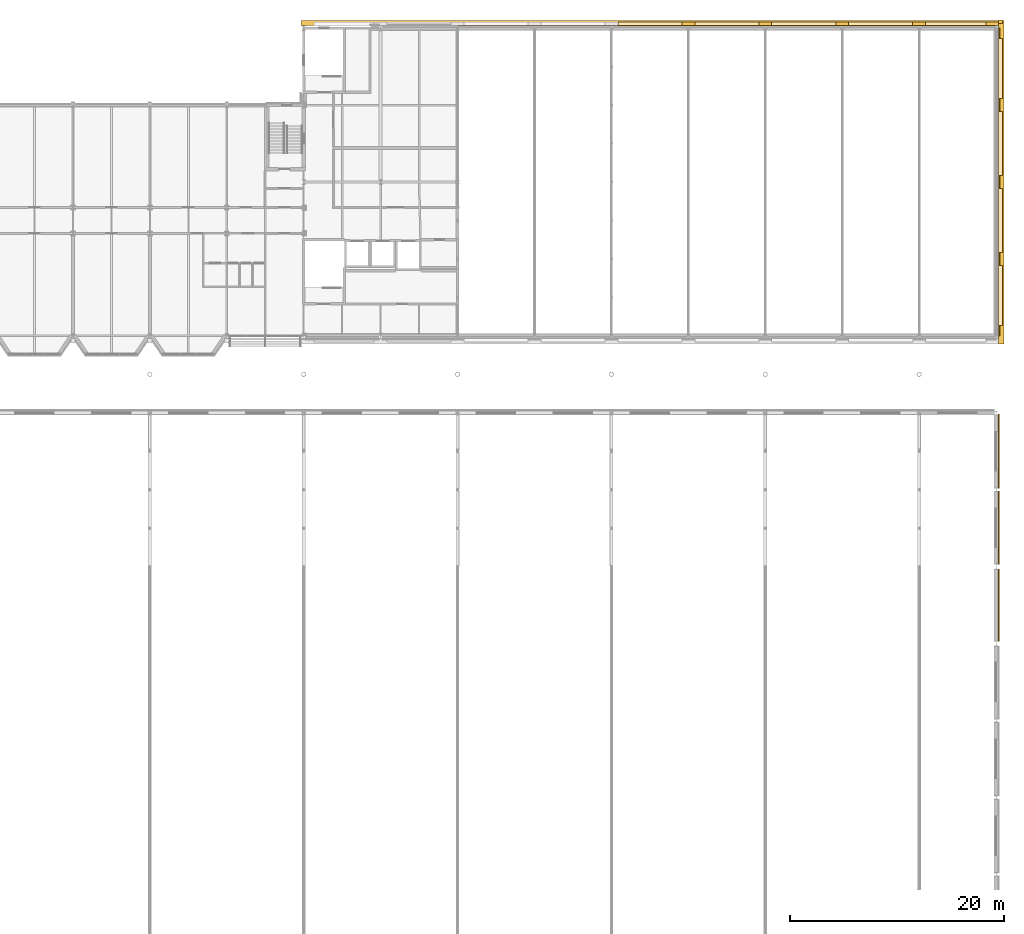
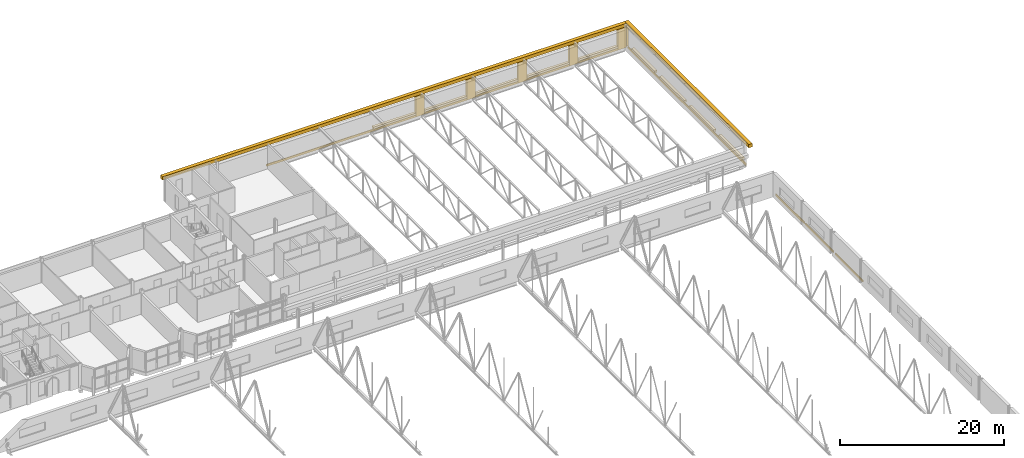
# One storey, part 139 of 142: 22 coverings.
"""IFC4 building model written with IfcOpenShell, lengths in metres."""

import ifcopenshell
import ifcopenshell.guid

model = None  # the IFC model being written
_history = None  # IfcOwnerHistory: only IFC2X3 demands one
_inside = {}  # id of a spatial element -> (the spatial element, [elements in it])
_under = {}  # id of a project, library or spatial element -> (it, [spatial elements below it])
_declared = {}  # id of a project -> (the project, [libraries it declares])
_typed = {}  # id of a type object -> (the type object, [elements of that type])
_made_of = {}  # id of a material, layer set ... -> (it, [elements and type objects made of it])


def new_model(schema):
    """Start an empty IFC model of exactly this schema.

    Asked for "IFC4X3", IfcOpenShell would pick the latest addendum, in which some entities
    have other attributes; the version numbers below select the first issue.
    IFC2X3 requires an IfcOwnerHistory on every rooted entity: one is made here for all.
    """
    global model, _history
    if schema == "IFC4X3":
        model = ifcopenshell.file(schema_version=(4, 3, 0, 0))
    else:
        model = ifcopenshell.file(schema=schema)
    _inside.clear()
    _under.clear()
    _declared.clear()
    _typed.clear()
    _made_of.clear()
    _history = None
    if model.schema == "IFC2X3":
        org = make("IfcOrganization", Name="unknown")
        user = make(
            "IfcPersonAndOrganization",
            ThePerson=make("IfcPerson", FamilyName="unknown"),
            TheOrganization=org,
        )
        app = make(
            "IfcApplication",
            ApplicationDeveloper=org,
            Version="unknown",
            ApplicationFullName="unknown",
            ApplicationIdentifier="unknown",
        )
        _history = make(
            "IfcOwnerHistory",
            OwningUser=user,
            OwningApplication=app,
            ChangeAction="ADDED",
            CreationDate=0,
        )
    return model


def make(cls, **values):
    """One entity of the class cls with the attributes given. An attribute that is None is left unset."""
    return model.create_entity(
        cls, **{name: value for name, value in values.items() if value is not None}
    )


def rooted(cls, **values):
    """An entity with a GlobalId (a new one), such as an element, a storey or a relation."""
    return make(cls, GlobalId=ifcopenshell.guid.new(), OwnerHistory=_history, **values)


def si_unit(unit_type, name, prefix=None):
    """IfcSIUnit, for example si_unit("LENGTHUNIT", "METRE", prefix="MILLI")."""
    return make("IfcSIUnit", UnitType=unit_type, Prefix=prefix, Name=name)


def assignment(units):
    """IfcUnitAssignment: the units of a project."""
    return None if units is None else make("IfcUnitAssignment", Units=units)


def point(xyz):
    """IfcCartesianPoint."""
    return None if xyz is None else make("IfcCartesianPoint", Coordinates=xyz)


def direction(xyz):
    """IfcDirection."""
    return None if xyz is None else make("IfcDirection", DirectionRatios=xyz)


def frame(location, z_axis=None, x_axis=None):
    """IfcAxis2Placement3D, a coordinate frame: its origin and axes. An axis left out is left unset."""
    return make(
        "IfcAxis2Placement3D",
        Location=point(location),
        Axis=direction(z_axis),
        RefDirection=direction(x_axis),
    )


def frame_2d(location, x_axis=None):
    """IfcAxis2Placement2D, a coordinate frame in the plane: its origin and x axis."""
    return make(
        "IfcAxis2Placement2D", Location=point(location), RefDirection=direction(x_axis)
    )


def origin():
    """The frame at (0, 0, 0) with its axes left unset."""
    return frame((0.0, 0.0, 0.0))


def origin_2d():
    """The frame at (0, 0) in the plane with its x axis left unset."""
    return frame_2d((0.0, 0.0))


def place(relative_to, where):
    """IfcLocalPlacement: puts the frame where relative to a parent placement (None: the world)."""
    return make(
        "IfcLocalPlacement", PlacementRelTo=relative_to, RelativePlacement=where
    )


def context(
    kind, dimensions, precision=None, world=None, true_north=None, identifier=None
):
    """IfcGeometricRepresentationContext, for example the 3D "Model" context."""
    return make(
        "IfcGeometricRepresentationContext",
        ContextIdentifier=identifier,
        ContextType=kind,
        CoordinateSpaceDimension=dimensions,
        Precision=precision,
        WorldCoordinateSystem=world,
        TrueNorth=true_north,
    )


def subcontext(parent, identifier, kind, view, scale=None):
    """IfcGeometricRepresentationSubContext, for example "Body" below "Model"."""
    return make(
        "IfcGeometricRepresentationSubContext",
        ContextIdentifier=identifier,
        ContextType=kind,
        ParentContext=parent,
        TargetScale=scale,
        TargetView=view,
    )


def project(units=None, contexts=None):
    """IfcProject with its units and contexts."""
    return rooted(
        "IfcProject",
        Name="project",
        RepresentationContexts=contexts,
        UnitsInContext=assignment(units),
    )


def spatial(cls, under=None, at=None, **own):
    """A site, building, storey or space (cls), placed at a placement, below another one or the project."""
    s = rooted(cls, ObjectPlacement=at, **own)
    if under is not None:
        _under.setdefault(under.id(), (under, []))[1].append(s)
    return s


def profile(cls, at=None, kind="AREA", **sizes):
    """A parametric profile (cls). Its sizes go by their IFC names, for example OverallWidth=200.0."""
    return make(cls, ProfileType=kind, Position=at, **sizes)


def rectangle(**sizes):
    """IfcRectangleProfileDef."""
    return profile("IfcRectangleProfileDef", **sizes)


def extrude(swept, where, along, depth):
    """IfcExtrudedAreaSolid: the profile swept, set in the frame where, extruded along a direction by depth."""
    return make(
        "IfcExtrudedAreaSolid",
        SweptArea=swept,
        Position=where,
        ExtrudedDirection=direction(along),
        Depth=depth,
    )


def shape(context_of_items, identifier, shape_type, items):
    """IfcShapeRepresentation: the items that make up one representation, for example the "Body"."""
    return make(
        "IfcShapeRepresentation",
        ContextOfItems=context_of_items,
        RepresentationIdentifier=identifier,
        RepresentationType=shape_type,
        Items=items,
    )


def material(Name=None, Category=None):
    """IfcMaterial."""
    return make("IfcMaterial", Name=Name, Category=Category)


def layer(
    of_material, thickness, ventilated=None, Name=None, Category=None, Priority=None
):
    """IfcMaterialLayer: one layer of a wall or slab, of a material (None: an air gap)."""
    return make(
        "IfcMaterialLayer",
        Material=of_material,
        LayerThickness=thickness,
        IsVentilated=ventilated,
        Name=Name,
        Category=Category,
        Priority=Priority,
    )


def layer_set(layers, Name=None):
    """IfcMaterialLayerSet."""
    return make("IfcMaterialLayerSet", MaterialLayers=layers, LayerSetName=Name)


def made_of(thing, what):
    """Note that an element or type object is made of a material, layer set ...; save() writes the relation."""
    if what is not None:
        _made_of.setdefault(what.id(), (what, []))[1].append(thing)
    return thing


def type_object(cls, material=None, **own):
    """A type object (cls), such as IfcWallType, which elements share."""
    return made_of(rooted(cls, **own), material)


def element(
    cls,
    number,
    at=None,
    inside=None,
    cuts=None,
    type_object=None,
    material=None,
    context=None,
    identifier="Body",
    shape_type=None,
    held_by="IfcProductDefinitionShape",
    body=None,
    shapes=None,
    **own,
):
    """One element of the class cls, such as IfcWall. Its Tag is "e" and its number.

    at: its placement. inside: the storey or other place that contains it. cuts: it is an
    opening in that element (IfcRelVoidsElement). A single representation is given by context,
    identifier, shape_type and body (its items); several are given by shapes. held_by: the class
    of the entity that holds the representations. save() writes the other relations.
    """
    e = rooted(cls, Tag="e%d" % number, ObjectPlacement=at, **own)
    if body is not None:
        shapes = [shape(context, identifier, shape_type, body)]
    if shapes is not None:
        e.Representation = make(held_by, Representations=shapes)
    if inside is not None:
        _inside.setdefault(inside.id(), (inside, []))[1].append(e)
    if cuts is not None:
        rooted(
            "IfcRelVoidsElement", RelatingBuildingElement=cuts, RelatedOpeningElement=e
        )
    if type_object is not None:
        _typed.setdefault(type_object.id(), (type_object, []))[1].append(e)
    return made_of(e, material)


def aggregate(whole, parts):
    """IfcRelAggregates: a whole, such as a stair, and the parts it consists of."""
    return rooted("IfcRelAggregates", RelatingObject=whole, RelatedObjects=parts)


def save(model, path):
    """Write the relations noted so far, then the file.

    IfcRelAggregates (storeys below a building ...), IfcRelContainedInSpatialStructure (elements
    in a storey), IfcRelDefinesByType, IfcRelAssociatesMaterial and IfcRelDeclares: one each for
    every whole, place, type object, material and project.
    """
    for whole, parts in _under.values():
        aggregate(whole, parts)
    for where, things in _inside.values():
        rooted(
            "IfcRelContainedInSpatialStructure",
            RelatedElements=things,
            RelatingStructure=where,
        )
    for kind, things in _typed.values():
        rooted("IfcRelDefinesByType", RelatedObjects=things, RelatingType=kind)
    for what, things in _made_of.values():
        rooted("IfcRelAssociatesMaterial", RelatedObjects=things, RelatingMaterial=what)
    for by, libraries in _declared.values():
        rooted("IfcRelDeclares", RelatingContext=by, RelatedDefinitions=libraries)
    model.write(path)


model = new_model("IFC4")

# Units and contexts
model_context = context("Model", 3, precision=1e-05, world=origin(), true_north=direction((0.0, 1.0)))
body_context = subcontext(model_context, "Body", "Model", "MODEL_VIEW")
ifc_project = project(units=[si_unit("LENGTHUNIT", "METRE"), si_unit("AREAUNIT", "SQUARE_METRE"), si_unit("VOLUMEUNIT", "CUBIC_METRE"), si_unit("PLANEANGLEUNIT", "RADIAN"), si_unit("MASSUNIT", "GRAM", prefix="KILO")], contexts=[model_context])

# Site, building, storey
site_placement = place(None, origin())
site = spatial("IfcSite", under=ifc_project, at=site_placement, CompositionType="ELEMENT")
building_placement = place(site_placement, origin())
building = spatial("IfcBuilding", under=site, at=building_placement, Name="Kupolbacken Congress Centre", CompositionType="ELEMENT")
storey_placement = place(building_placement, frame((0.0, 0.0, 14.39990234375)))
storey = spatial("IfcBuildingStorey", under=building, at=storey_placement, Name="L04", CompositionType="ELEMENT", Elevation=14.39990234375)

# Coverings
ifc_material_1 = material(Name="Limestone cladding", Category="masonry")
ifc_layer_1 = layer(ifc_material_1, 0.1201171875)
ifc_layer_set_1 = layer_set([ifc_layer_1], Name="Limestone cladding")
covering_type_1 = type_object("IfcCoveringType", Name="CV1 limestone cladding band 120", PredefinedType="CLADDING", material=ifc_layer_set_1)
covering_1_placement = place(storey_placement, frame((201.89990234375, 136.800048828125, 0.0), z_axis=(0.0, 0.0, 1.0), x_axis=(0.0, 1.0, 0.0)))
element("IfcCovering", 1, at=covering_1_placement, inside=storey, type_object=covering_type_1, Name="E/B/E/L04/397/band", PredefinedType="CLADDING", context=body_context, shape_type="SweptSolid", body=[
    extrude(rectangle(XDim=28.800048828125, YDim=0.1201171875, at=origin_2d()), origin(), (0.0, 0.0, 1.0), 0.300048828125),
])
covering_2_placement = place(storey_placement, frame((176.39990234375, 151.5, 0.0), z_axis=(0.0, 0.0, 1.0), x_axis=(-1.0, 0.0, 0.0)))
element("IfcCovering", 2, at=covering_2_placement, inside=storey, type_object=covering_type_1, Name="E/B/N/L04/398/band", PredefinedType="CLADDING", context=body_context, shape_type="SweptSolid", body=[
    extrude(rectangle(XDim=50.39990234375, YDim=0.1201171875, at=origin_2d()), origin(), (0.0, 0.0, 1.0), 0.300048828125),
])
ifc_material_2 = material(Name="Limestone cladding", Category="masonry")
ifc_layer_2 = layer(ifc_material_2, 0.5)
ifc_layer_set_2 = layer_set([ifc_layer_2], Name="Limestone cladding")
covering_type_2 = type_object("IfcCoveringType", Name="CV10 limestone cornice 500", PredefinedType="CLADDING", material=ifc_layer_set_2)
covering_3_placement = place(storey_placement, frame((202.090087890625, 136.800048828125, 3.10009765625), z_axis=(0.0, 0.0, 1.0), x_axis=(0.0, 1.0, 0.0)))
element("IfcCovering", 3, at=covering_3_placement, inside=storey, type_object=covering_type_2, Name="F/B/E/cornice", PredefinedType="CLADDING", context=body_context, shape_type="SweptSolid", body=[
    extrude(rectangle(XDim=30.280029296875, YDim=0.5, at=origin_2d()), origin(), (0.0, 0.0, 1.0), 0.5),
])
covering_4_placement = place(storey_placement, frame((169.199951171875, 151.68994140625, 3.10009765625), z_axis=(0.0, 0.0, 1.0), x_axis=(1.0, 0.0, 0.0)))
element("IfcCovering", 4, at=covering_4_placement, inside=storey, type_object=covering_type_2, Name="F/B/N/cornice", PredefinedType="CLADDING", context=body_context, shape_type="SweptSolid", body=[
    extrude(rectangle(XDim=65.280029296875, YDim=0.5, at=origin_2d()), origin(), (0.0, 0.0, 1.0), 0.5),
])
ifc_material_3 = material(Name="Brick cladding", Category="masonry")
ifc_layer_3 = layer(ifc_material_3, 0.10791015625)
ifc_layer_set_3 = layer_set([ifc_layer_3], Name="Brick cladding")
covering_type_3 = type_object("IfcCoveringType", Name="CV2 brick cladding band 108", PredefinedType="CLADDING", material=ifc_layer_set_3)
covering_5_placement = place(storey_placement, frame((201.864013671875, 97.199951171875, 0.0), z_axis=(0.0, 0.0, 1.0), x_axis=(0.0, 1.0, 0.0)))
element("IfcCovering", 5, at=covering_5_placement, inside=storey, type_object=covering_type_3, Name="E/H/E/L04/435/band", PredefinedType="CLADDING", context=body_context, shape_type="SweptSolid", body=[
    extrude(rectangle(XDim=6.7099609375, YDim=0.10791015625, at=origin_2d()), origin(), (0.0, 0.0, 1.0), 0.300048828125),
])
covering_6_placement = place(storey_placement, frame((201.864013671875, 104.449951171875, 0.0), z_axis=(0.0, 0.0, 1.0), x_axis=(0.0, 1.0, 0.0)))
element("IfcCovering", 6, at=covering_6_placement, inside=storey, type_object=covering_type_3, Name="E/H/E/L04/436/band", PredefinedType="CLADDING", context=body_context, shape_type="SweptSolid", body=[
    extrude(rectangle(XDim=6.81005859375, YDim=0.10791015625, at=origin_2d()), origin(), (0.0, 0.0, 1.0), 0.300048828125),
])
covering_7_placement = place(storey_placement, frame((201.864013671875, 111.60009765625, 0.0), z_axis=(0.0, 0.0, 1.0), x_axis=(0.0, 1.0, 0.0)))
element("IfcCovering", 7, at=covering_7_placement, inside=storey, type_object=covering_type_3, Name="E/H/E/L04/437/band", PredefinedType="CLADDING", context=body_context, shape_type="SweptSolid", body=[
    extrude(rectangle(XDim=6.909912109375, YDim=0.10791015625, at=origin_2d()), origin(), (0.0, 0.0, 1.0), 0.300048828125),
])
ifc_material_4 = material(Name="Limestone cladding", Category="masonry")
ifc_layer_4 = layer(ifc_material_4, 0.35009765625)
ifc_layer_set_4 = layer_set([ifc_layer_4], Name="Limestone cladding")
covering_type_4 = type_object("IfcCoveringType", Name="CV3 limestone pilaster strip 350", PredefinedType="CLADDING", material=ifc_layer_set_4)
covering_8_placement = place(storey_placement, frame((202.014892578125, 126.179931640625, 0.30029296875), z_axis=(0.0, 0.0, 1.0), x_axis=(0.0, 1.0, 0.0)))
element("IfcCovering", 8, at=covering_8_placement, inside=storey, type_object=covering_type_4, Name="F/B/E/string/00", PredefinedType="CLADDING", context=body_context, shape_type="SweptSolid", body=[
    extrude(rectangle(XDim=5.639892578125, YDim=0.35009765625, at=origin_2d()), origin(), (0.0, 0.0, 1.0), 0.300048828125),
])
for number, where, z_axis, x_axis, name in (
    (9, (202.014892578125, 133.199951171875, 0.30029296875), (0.0, 0.0, 1.0), (0.0, 1.0, 0.0), "F/B/E/string/01"),
    (10, (202.014892578125, 140.39990234375, 0.30029296875), (0.0, 0.0, 1.0), (0.0, 1.0, 0.0), "F/B/E/string/02"),
):
    element("IfcCovering", number, at=place(storey_placement, frame(where, z_axis=z_axis, x_axis=x_axis)), inside=storey, type_object=covering_type_4, Name=name, PredefinedType="CLADDING", context=body_context, shape_type="SweptSolid", body=[
        extrude(rectangle(XDim=6.0, YDim=0.35009765625, at=origin_2d()), origin(), (0.0, 0.0, 1.0), 0.300048828125),
    ])
covering_9_placement = place(storey_placement, frame((202.014892578125, 147.419921875, 0.30029296875), z_axis=(0.0, 0.0, 1.0), x_axis=(0.0, 1.0, 0.0)))
element("IfcCovering", 11, at=covering_9_placement, inside=storey, type_object=covering_type_4, Name="F/B/E/string/03", PredefinedType="CLADDING", context=body_context, shape_type="SweptSolid", body=[
    extrude(rectangle(XDim=5.639892578125, YDim=0.35009765625, at=origin_2d()), origin(), (0.0, 0.0, 1.0), 0.300048828125),
])
for number, where, z_axis, x_axis, name in (
    (12, (172.800048828125, 151.614990234375, 0.0), (0.0, 0.0, 1.0), (1.0, 0.0, 0.0), "F/B/N/pil/05/1"),
    (13, (180.0, 151.614990234375, 0.0), (0.0, 0.0, 1.0), (1.0, 0.0, 0.0), "F/B/N/pil/06/1"),
    (14, (187.199951171875, 151.614990234375, 0.0), (0.0, 0.0, 1.0), (1.0, 0.0, 0.0), "F/B/N/pil/07/1"),
    (15, (194.39990234375, 151.614990234375, 0.0), (0.0, 0.0, 1.0), (1.0, 0.0, 0.0), "F/B/N/pil/08/1"),
    (16, (201.239990234375, 151.614990234375, 0.0), (0.0, 0.0, 1.0), (1.0, 0.0, 0.0), "F/B/N/pil/09/1"),
):
    element("IfcCovering", number, at=place(storey_placement, frame(where, z_axis=z_axis, x_axis=x_axis)), inside=storey, type_object=covering_type_4, Name=name, PredefinedType="CLADDING", context=body_context, shape_type="SweptSolid", body=[
        extrude(rectangle(XDim=1.199951171875, YDim=0.35009765625, at=origin_2d()), origin(), (0.0, 0.0, 1.0), 3.10009765625),
    ])
for number, where, z_axis, x_axis, name in (
    (17, (169.199951171875, 151.614990234375, 0.30029296875), (0.0, 0.0, 1.0), (1.0, 0.0, 0.0), "F/B/N/string/04"),
    (18, (176.39990234375, 151.614990234375, 0.30029296875), (0.0, 0.0, 1.0), (1.0, 0.0, 0.0), "F/B/N/string/05"),
    (19, (183.60009765625, 151.614990234375, 0.30029296875), (0.0, 0.0, 1.0), (1.0, 0.0, 0.0), "F/B/N/string/06"),
    (20, (190.800048828125, 151.614990234375, 0.30029296875), (0.0, 0.0, 1.0), (1.0, 0.0, 0.0), "F/B/N/string/07"),
):
    element("IfcCovering", number, at=place(storey_placement, frame(where, z_axis=z_axis, x_axis=x_axis)), inside=storey, type_object=covering_type_4, Name=name, PredefinedType="CLADDING", context=body_context, shape_type="SweptSolid", body=[
        extrude(rectangle(XDim=6.0, YDim=0.35009765625, at=origin_2d()), origin(), (0.0, 0.0, 1.0), 0.300048828125),
    ])
covering_10_placement = place(storey_placement, frame((197.820068359375, 151.614990234375, 0.30029296875), z_axis=(0.0, 0.0, 1.0), x_axis=(1.0, 0.0, 0.0)))
element("IfcCovering", 21, at=covering_10_placement, inside=storey, type_object=covering_type_4, Name="F/B/N/string/08", PredefinedType="CLADDING", context=body_context, shape_type="SweptSolid", body=[
    extrude(rectangle(XDim=5.639892578125, YDim=0.35009765625, at=origin_2d()), origin(), (0.0, 0.0, 1.0), 0.300048828125),
])
covering_11_placement = place(storey_placement, frame((202.014892578125, 151.7900390625, 0.0), z_axis=(0.0, 0.0, 1.0), x_axis=(1.0, 0.0, 0.0)))
element("IfcCovering", 22, at=covering_11_placement, inside=storey, type_object=covering_type_4, Name="F/B/corner/N/0", PredefinedType="CLADDING", context=body_context, shape_type="SweptSolid", body=[
    extrude(rectangle(XDim=0.35009765625, YDim=0.35009765625, at=origin_2d()), origin(), (0.0, 0.0, 1.0), 3.10009765625),
])

save(model, "model.ifc")
